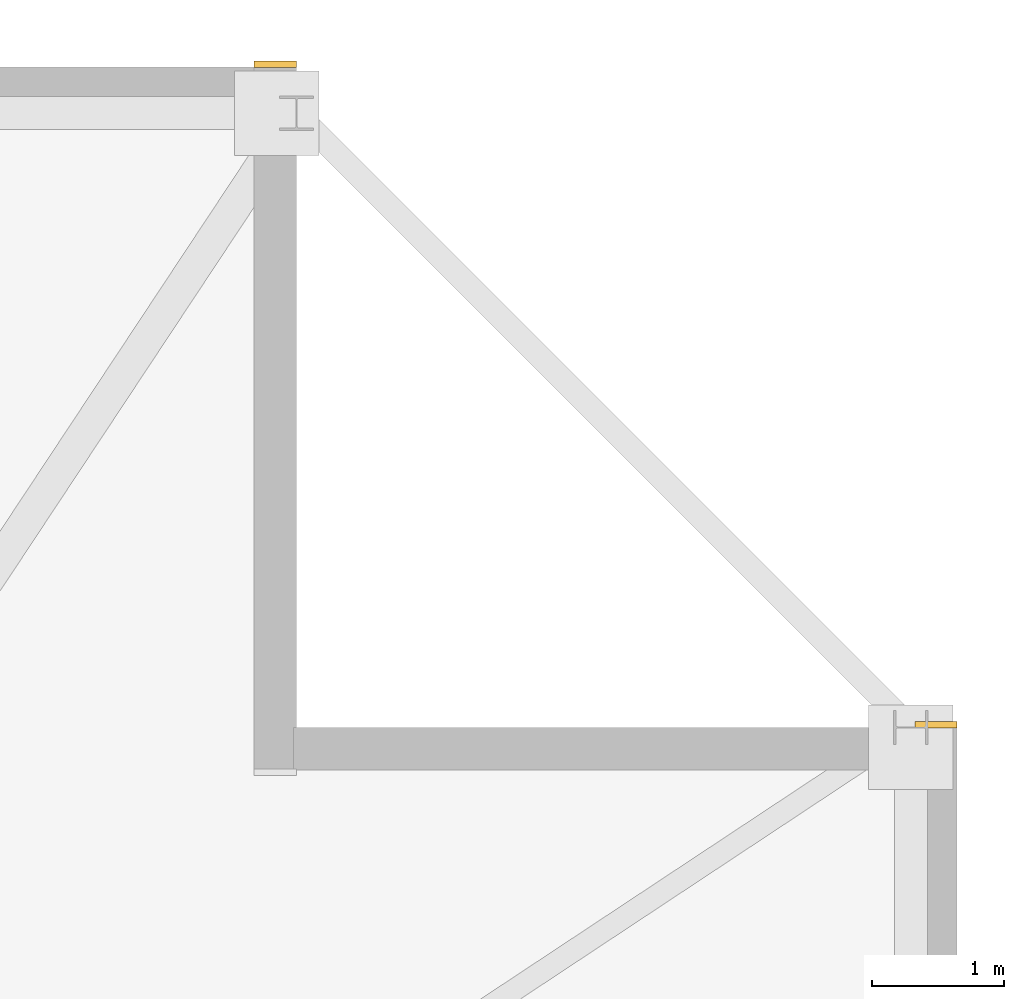
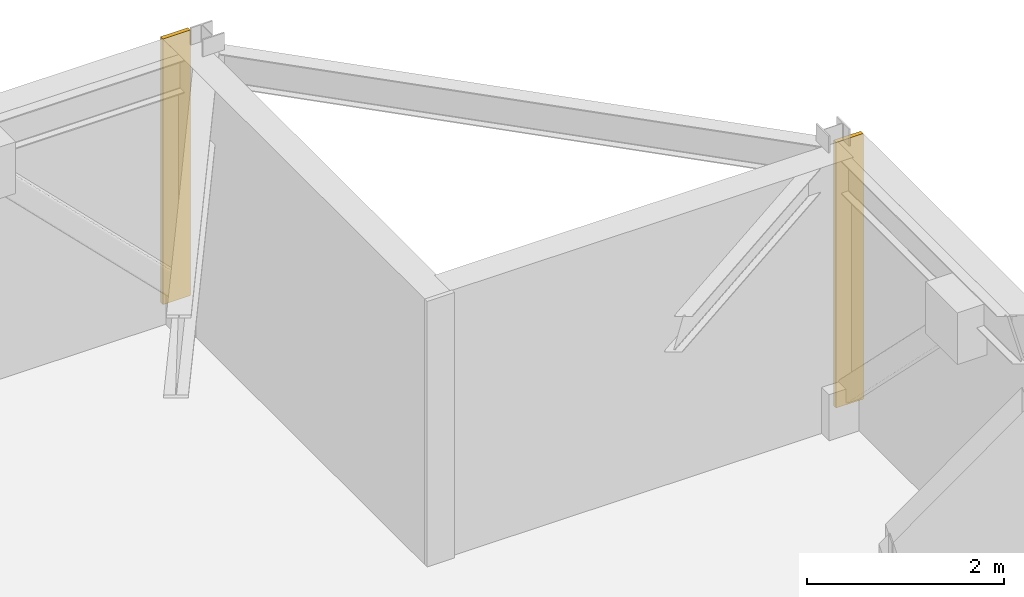
# One storey, part 17 of 17: 2 coverings.
"""IFC4 building model written with IfcOpenShell, lengths in metres."""

from ifc_helpers import new_model, si_unit, direction, frame, frame_2d, origin, place, context, subcontext, project, spatial, rectangle, extrude, material, layer, layer_set, type_object, element, save


model = new_model("IFC4")

# Units and contexts
model_context = context("Model", 3, precision=1e-05, world=origin(), true_north=direction((0.0, 1.0)))
body_context = subcontext(model_context, "Body", "Model", "MODEL_VIEW")
ifc_project = project(units=[si_unit("LENGTHUNIT", "METRE"), si_unit("AREAUNIT", "SQUARE_METRE"), si_unit("VOLUMEUNIT", "CUBIC_METRE"), si_unit("PLANEANGLEUNIT", "RADIAN"), si_unit("MASSUNIT", "GRAM", prefix="KILO")], contexts=[model_context])

# Site, building, storey
site_placement = place(None, origin())
site = spatial("IfcSite", under=ifc_project, at=site_placement, CompositionType="ELEMENT")
building_placement = place(site_placement, origin())
building = spatial("IfcBuilding", under=site, at=building_placement, Name="Cairnveth Concourse Tower", CompositionType="ELEMENT")
storey_placement = place(building_placement, frame((0.0, 0.0, 258.5)))
storey = spatial("IfcBuildingStorey", under=building, at=storey_placement, Name="L71", CompositionType="ELEMENT", Elevation=258.5)

# Coverings
ifc_material = material(Name="Dressed Melbourne Bluestone Cladding", Category="masonry")
ifc_layer = layer(ifc_material, 0.050048828125)
ifc_layer_set = layer_set([ifc_layer], Name="Dressed Melbourne Bluestone Cladding")
covering_type = type_object("IfcCoveringType", Name="DRESSED BLUESTONE PLINTH CLADDING 50", PredefinedType="CLADDING", material=ifc_layer_set)
for number, where, z_axis, x_axis, name in (
    (1, (69.179931640625, 61.52001953125, 0.0), (0.0, 0.0, 1.0), (1.0, 0.0, 0.0), "Melbourne Bluestone Corner Quoin L71-1078"),
    (2, (74.179931640625, 56.52001953125, 0.0), (0.0, 0.0, 1.0), (1.0, 0.0, 0.0), "Melbourne Bluestone Corner Quoin L71-1080"),
):
    element("IfcCovering", number, at=place(storey_placement, frame(where, z_axis=z_axis, x_axis=x_axis)), inside=storey, type_object=covering_type, Name=name, PredefinedType="CLADDING", context=body_context, shape_type="SweptSolid", body=[
        extrude(rectangle(XDim=0.320068359375, YDim=0.050048828125, at=frame_2d((0.16015625, 0.0))), origin(), (0.0, 0.0, 1.0), 3.2900390625),
    ])

save(model, "model.ifc")
